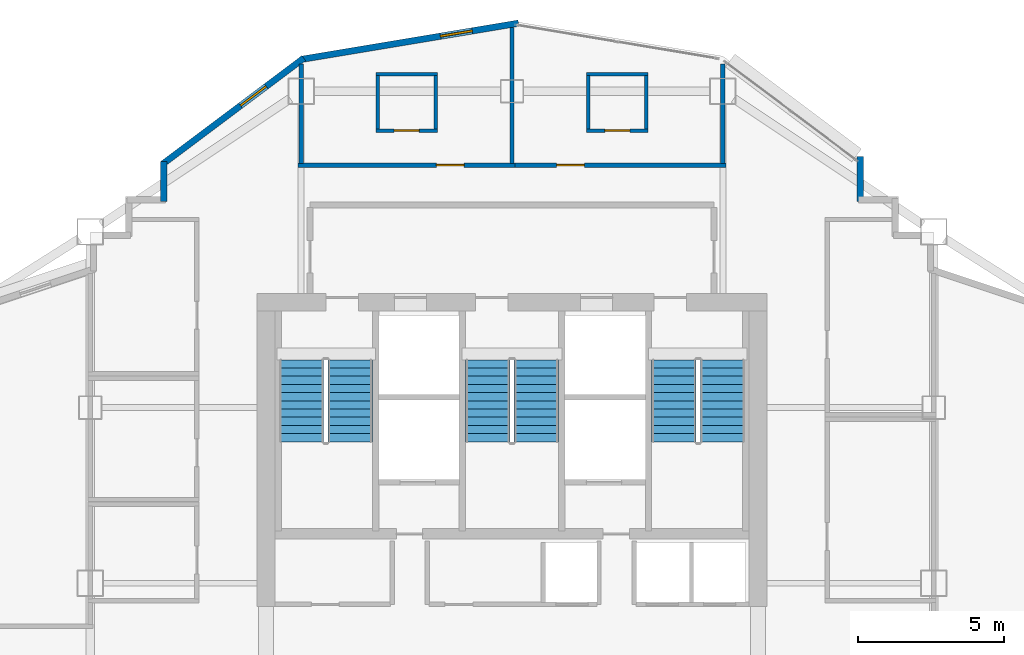
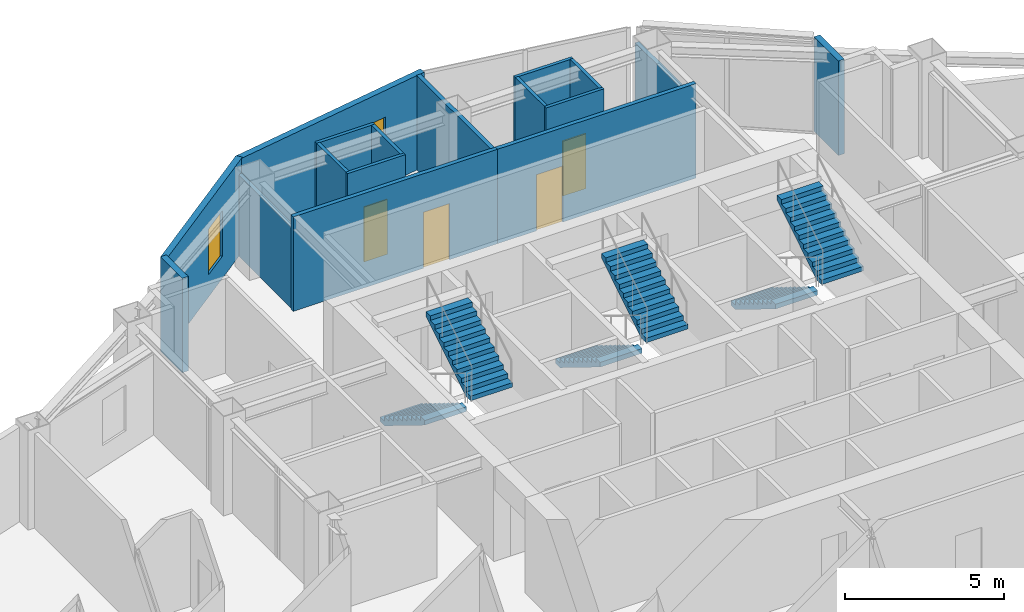
# One storey, part 9 of 11: 17 walls, 6 stair flights, 4 doors, 2 windows, 6 openings, 3 elements without a shape of their own.
"""IFC4 building model written with IfcOpenShell, lengths in metres."""

from ifc_helpers import new_model, si_unit, direction, frame, frame_2d, origin, place, context, subcontext, project, spatial, polyline, rectangle, outline, extrude, material, layer, layer_set, type_object, element, fill, aggregate, save


model = new_model("IFC4")

# Units and contexts
model_context = context("Model", 3, precision=1e-05, world=origin(), true_north=direction((0.0, 1.0)))
body_context = subcontext(model_context, "Body", "Model", "MODEL_VIEW")
ifc_project = project(units=[si_unit("LENGTHUNIT", "METRE"), si_unit("AREAUNIT", "SQUARE_METRE"), si_unit("VOLUMEUNIT", "CUBIC_METRE"), si_unit("PLANEANGLEUNIT", "RADIAN"), si_unit("MASSUNIT", "GRAM", prefix="KILO")], contexts=[model_context])

# Site, building, storey
site_placement = place(None, origin())
site = spatial("IfcSite", under=ifc_project, at=site_placement, CompositionType="ELEMENT")
building_placement = place(site_placement, origin())
building = spatial("IfcBuilding", under=site, at=building_placement, Name="Haolan Belvedere Tower", CompositionType="ELEMENT")
storey_placement = place(building_placement, frame((0.0, 0.0, 172.800048828125)))
storey = spatial("IfcBuildingStorey", under=building, at=storey_placement, Name="L43", CompositionType="ELEMENT", Elevation=172.800048828125)

# Wall
ifc_material_1 = material(Name="Precast concrete C40/50", Category="concrete")
ifc_layer_1 = layer(ifc_material_1, 0.219970703125, Name="Precast concrete C40/50")
ifc_layer_set_1 = layer_set([ifc_layer_1], Name="Precast concrete C40/50")
wall_type_1 = type_object("IfcWallType", Name="WL-EXT-220", PredefinedType="SOLIDWALL", material=ifc_layer_set_1)
wall_1_placement = place(storey_placement, frame((50.2900390625, 46.635009765625, 0.0), z_axis=(0.0, 0.0, 1.0), x_axis=(0.0, 1.0, 0.0)))
element("IfcWall", 1, at=wall_1_placement, inside=storey, type_object=wall_type_1, Name="L43 pale-metal exterior spandrel wall 19.1", PredefinedType="SOLIDWALL", context=body_context, shape_type="SweptSolid", body=[
    extrude(rectangle(XDim=1.534912109375, YDim=0.219970703125, at=frame_2d((0.767578125, 0.0))), origin(), (0.0, 0.0, 1.0), 3.619873046875),
])

# Wall, opening, window
wall_2_placement = place(storey_placement, frame((38.621826171875, 52.7255859375, 0.0), z_axis=(0.0, 0.0, 1.0), x_axis=(-0.986390420428, -0.164420006349, 0.0)))
wall_2 = element("IfcWall", 2, at=wall_2_placement, inside=storey, type_object=wall_type_1, Name="L43 pale-metal exterior spandrel wall 22.1", PredefinedType="SOLIDWALL", context=body_context, shape_type="SweptSolid", body=[
    extrude(rectangle(XDim=7.5341796875, YDim=0.219970703125, at=frame_2d((3.76708984375, 0.0))), origin(), (0.0, 0.0, 1.0), 3.619873046875),
])
opening_1_placement = place(wall_2_placement, frame((1.60009765625, 0.0, 0.85009765625)))
opening_1 = element("IfcOpeningElement", 3, at=opening_1_placement, cuts=wall_2, Name="Opening W-03", PredefinedType="OPENING", context=body_context, shape_type="SweptSolid", body=[
    extrude(rectangle(XDim=1.10009765625, YDim=1.75, at=frame_2d((0.550048828125, 0.875))), frame((0.0, 0.119873046875, 0.0), z_axis=(0.0, -1.0, 0.0), x_axis=(1.0, 0.0, 0.0)), (0.0, 0.0, 1.0), 0.239990234375),
])
ifc_material_2 = material(Name="Anodised aluminium 6063-T6 and Low-E glass", Category="aluminium")
window_type = type_object("IfcWindowType", Name="WN-DECO-Z3", PartitioningType="SINGLE_PANEL", PredefinedType="WINDOW", material=ifc_material_2)
window_1_placement = place(opening_1_placement, origin())
window_1 = element("IfcWindow", 4, at=window_1_placement, inside=storey, type_object=window_type, Name="L43 Art Deco chevron window 1", OverallHeight=1.75, OverallWidth=1.10009765625, PartitioningType="SINGLE_PANEL", PredefinedType="WINDOW", context=body_context, shape_type="SweptSolid", body=[
    extrude(rectangle(XDim=1.10009765625, YDim=1.75, at=frame_2d((0.550048828125, 0.875))), frame((0.0, 0.030029296875, 0.0), z_axis=(0.0, -1.0, 0.0), x_axis=(1.0, 0.0, 0.0)), (0.0, 0.0, 1.0), 0.06005859375),
])
fill(opening_1, window_1)

wall_3_placement = place(storey_placement, frame((31.28857421875, 51.52880859375, 0.0), z_axis=(0.0, 0.0, 1.0), x_axis=(-0.800014580093, -0.599980559383, 0.0)))
wall_3 = element("IfcWall", 5, at=wall_3_placement, inside=storey, type_object=wall_type_1, Name="L43 pale-metal exterior spandrel wall 23.1", PredefinedType="SOLIDWALL", context=body_context, shape_type="SweptSolid", body=[
    extrude(rectangle(XDim=6.028076171875, YDim=0.219970703125, at=frame_2d((3.01416015625, 0.0))), origin(), (0.0, 0.0, 1.0), 3.619873046875),
])
opening_2_placement = place(wall_3_placement, frame((1.60009765625, 0.0, 0.85009765625)))
opening_2 = element("IfcOpeningElement", 6, at=opening_2_placement, cuts=wall_3, Name="Opening W-03", PredefinedType="OPENING", context=body_context, shape_type="SweptSolid", body=[
    extrude(rectangle(XDim=1.10009765625, YDim=1.75, at=frame_2d((0.550048828125, 0.875))), frame((0.0, 0.119873046875, 0.0), z_axis=(0.0, -1.0, 0.0), x_axis=(1.0, 0.0, 0.0)), (0.0, 0.0, 1.0), 0.239990234375),
])
window_2_placement = place(opening_2_placement, origin())
window_2 = element("IfcWindow", 7, at=window_2_placement, inside=storey, type_object=window_type, Name="L43 Art Deco chevron window 1", OverallHeight=1.75, OverallWidth=1.10009765625, PartitioningType="SINGLE_PANEL", PredefinedType="WINDOW", context=body_context, shape_type="SweptSolid", body=[
    extrude(rectangle(XDim=1.10009765625, YDim=1.75, at=frame_2d((0.550048828125, 0.875))), frame((0.0, 0.030029296875, 0.0), z_axis=(0.0, -1.0, 0.0), x_axis=(1.0, 0.0, 0.0)), (0.0, 0.0, 1.0), 0.06005859375),
])
fill(opening_2, window_2)

# Wall
wall_4_placement = place(storey_placement, frame((26.510009765625, 48.0, 0.0), z_axis=(0.0, 0.0, 1.0), x_axis=(0.0, -1.0, 0.0)))
element("IfcWall", 8, at=wall_4_placement, inside=storey, type_object=wall_type_1, Name="L43 pale-metal exterior spandrel wall 24.1", PredefinedType="SOLIDWALL", context=body_context, shape_type="SweptSolid", body=[
    extrude(rectangle(XDim=1.364990234375, YDim=0.219970703125, at=frame_2d((0.6826171875, 0.0))), origin(), (0.0, 0.0, 1.0), 3.619873046875),
])

# Wall, opening, door
ifc_material_3 = material(Name="Double gypsum acoustic stud partition", Category="masonry")
ifc_layer_2 = layer(ifc_material_3, 0.14990234375, Name="Double gypsum acoustic stud partition")
ifc_layer_set_2 = layer_set([ifc_layer_2], Name="Double gypsum acoustic stud partition")
wall_type_2 = type_object("IfcWallType", Name="WL-PART-150", PredefinedType="PARTITIONING", material=ifc_layer_set_2)
wall_5_placement = place(storey_placement, frame((31.10009765625, 47.8798828125, 0.0), z_axis=(0.0, 0.0, 1.0), x_axis=(1.0, 0.0, 0.0)))
wall_5 = element("IfcWall", 9, at=wall_5_placement, inside=storey, type_object=wall_type_2, Name="L43 interior partition IW-L43-KN2-S", PredefinedType="PARTITIONING", context=body_context, shape_type="SweptSolid", body=[
    extrude(rectangle(XDim=7.39990234375, YDim=0.14990234375, at=frame_2d((3.699951171875, 0.0))), origin(), (0.0, 0.0, 1.0), 3.619873046875),
])
opening_3_placement = place(wall_5_placement, frame((4.713623046875, 0.0, 0.0)))
opening_3 = element("IfcOpeningElement", 10, at=opening_3_placement, cuts=wall_5, Name="Opening ID-02", PredefinedType="OPENING", context=body_context, shape_type="SweptSolid", body=[
    extrude(rectangle(XDim=0.949951171875, YDim=2.14990234375, at=frame_2d((0.47509765625, 1.074951171875))), frame((0.0, 0.0849609375, 0.0), z_axis=(0.0, -1.0, 0.0), x_axis=(1.0, 0.0, 0.0)), (0.0, 0.0, 1.0), 0.169921875),
])
ifc_material_4 = material(Name="Acoustic oak veneer fire-rated timber", Category="wood")
door_type_1 = type_object("IfcDoorType", Name="DR-GUEST-950", OperationType="NOTDEFINED", PredefinedType="DOOR", material=ifc_material_4)
door_1_placement = place(opening_3_placement, origin())
door_1 = element("IfcDoor", 11, at=door_1_placement, inside=storey, type_object=door_type_1, Name="L43 door ID-L43-KN2-ENT", OperationType="SINGLE_SWING_RIGHT", OverallHeight=2.14990234375, OverallWidth=0.949951171875, PredefinedType="DOOR", context=body_context, shape_type="SweptSolid", body=[
    extrude(rectangle(XDim=0.949951171875, YDim=2.14990234375, at=frame_2d((0.47509765625, 1.074951171875))), frame((0.0, 0.02490234375, 0.0), z_axis=(0.0, -1.0, 0.0), x_axis=(1.0, 0.0, 0.0)), (0.0, 0.0, 1.0), 0.050048828125),
])
fill(opening_3, door_1)

# Walls
wall_6_placement = place(storey_placement, frame((31.199951171875, 47.93994140625, 0.0), z_axis=(0.0, 0.0, 1.0), x_axis=(0.0, 1.0, 0.0)))
element("IfcWall", 12, at=wall_6_placement, inside=storey, type_object=wall_type_2, Name="L43 interior partition IW-L43-KN2-W", PredefinedType="PARTITIONING", context=body_context, shape_type="SweptSolid", body=[
    extrude(rectangle(XDim=3.39501953125, YDim=0.14990234375, at=frame_2d((1.697509765625, 0.0))), origin(), (0.0, 0.0, 1.0), 3.10498046875),
])
wall_7_placement = place(storey_placement, frame((38.39990234375, 47.93994140625, 0.0), z_axis=(0.0, 0.0, 1.0), x_axis=(0.0, 1.0, 0.0)))
element("IfcWall", 13, at=wall_7_placement, inside=storey, type_object=wall_type_2, Name="L43 interior partition IW-L43-KN2-E", PredefinedType="PARTITIONING", context=body_context, shape_type="SweptSolid", body=[
    extrude(rectangle(XDim=4.645263671875, YDim=0.14990234375, at=frame_2d((2.32275390625, 0.0))), origin(), (0.0, 0.0, 1.0), 3.619873046875),
])

# Wall, opening, door
wall_8_placement = place(storey_placement, frame((38.501953125, 47.8798828125, 0.0), z_axis=(0.0, 0.0, 1.0), x_axis=(1.0, 0.0, 0.0)))
wall_8 = element("IfcWall", 14, at=wall_8_placement, inside=storey, type_object=wall_type_2, Name="L43 interior partition IW-L43-KN3-S", PredefinedType="PARTITIONING", context=body_context, shape_type="SweptSolid", body=[
    extrude(rectangle(XDim=7.197998046875, YDim=0.14990234375, at=frame_2d((3.59912109375, 0.0))), origin(), (0.0, 0.0, 1.0), 3.619873046875),
])
opening_4_placement = place(wall_8_placement, frame((1.41748046875, 0.0, 0.0)))
opening_4 = element("IfcOpeningElement", 15, at=opening_4_placement, cuts=wall_8, Name="Opening ID-02", PredefinedType="OPENING", context=body_context, shape_type="SweptSolid", body=[
    extrude(rectangle(XDim=0.949951171875, YDim=2.14990234375, at=frame_2d((0.47509765625, 1.074951171875))), frame((0.0, 0.0849609375, 0.0), z_axis=(0.0, -1.0, 0.0), x_axis=(1.0, 0.0, 0.0)), (0.0, 0.0, 1.0), 0.169921875),
])
door_2_placement = place(opening_4_placement, origin())
door_2 = element("IfcDoor", 16, at=door_2_placement, inside=storey, type_object=door_type_1, Name="L43 door ID-L43-KN3-ENT", OperationType="SINGLE_SWING_LEFT", OverallHeight=2.14990234375, OverallWidth=0.949951171875, PredefinedType="DOOR", context=body_context, shape_type="SweptSolid", body=[
    extrude(rectangle(XDim=0.949951171875, YDim=2.14990234375, at=frame_2d((0.47509765625, 1.074951171875))), frame((0.0, 0.02490234375, 0.0), z_axis=(0.0, -1.0, 0.0), x_axis=(1.0, 0.0, 0.0)), (0.0, 0.0, 1.0), 0.050048828125),
])
fill(opening_4, door_2)

# Walls
wall_9_placement = place(storey_placement, frame((45.60009765625, 47.93994140625, 0.0), z_axis=(0.0, 0.0, 1.0), x_axis=(0.0, 1.0, 0.0)))
element("IfcWall", 17, at=wall_9_placement, inside=storey, type_object=wall_type_2, Name="L43 interior partition IW-L43-KN3-E", PredefinedType="PARTITIONING", context=body_context, shape_type="SweptSolid", body=[
    extrude(rectangle(XDim=3.39501953125, YDim=0.14990234375, at=frame_2d((1.697509765625, 0.0))), origin(), (0.0, 0.0, 1.0), 3.10498046875),
])
ifc_material_5 = material(Name="Moisture-resistant gypsum tile partition", Category="masonry")
ifc_layer_3 = layer(ifc_material_5, 0.1201171875, Name="Moisture-resistant gypsum tile partition")
ifc_layer_set_3 = layer_set([ifc_layer_3], Name="Moisture-resistant gypsum tile partition")
wall_type_3 = type_object("IfcWallType", Name="WL-WET-120", PredefinedType="PARTITIONING", material=ifc_layer_set_3)
wall_10_placement = place(storey_placement, frame((33.75, 50.97998046875, 0.0), z_axis=(0.0, 0.0, 1.0), x_axis=(1.0, 0.0, 0.0)))
element("IfcWall", 18, at=wall_10_placement, inside=storey, type_object=wall_type_3, Name="L43 interior partition IW-L43-KN2-BN", PredefinedType="PARTITIONING", context=body_context, shape_type="SweptSolid", body=[
    extrude(rectangle(XDim=2.10009765625, YDim=0.1201171875, at=frame_2d((1.050048828125, 0.0))), origin(), (0.0, 0.0, 1.0), 3.619873046875),
])

# Wall, opening, door
wall_11_placement = place(storey_placement, frame((33.75, 49.06005859375, 0.0), z_axis=(0.0, 0.0, 1.0), x_axis=(1.0, 0.0, 0.0)))
wall_11 = element("IfcWall", 19, at=wall_11_placement, inside=storey, type_object=wall_type_3, Name="L43 interior partition IW-L43-KN2-BS", PredefinedType="PARTITIONING", context=body_context, shape_type="SweptSolid", body=[
    extrude(rectangle(XDim=2.10009765625, YDim=0.1201171875, at=frame_2d((1.050048828125, 0.0))), origin(), (0.0, 0.0, 1.0), 3.619873046875),
])
opening_5_placement = place(wall_11_placement, frame((0.625, 0.0, 0.0)))
opening_5 = element("IfcOpeningElement", 20, at=opening_5_placement, cuts=wall_11, Name="Opening ID-05", PredefinedType="OPENING", context=body_context, shape_type="SweptSolid", body=[
    extrude(rectangle(XDim=0.85009765625, YDim=2.10009765625, at=frame_2d((0.425048828125, 1.050048828125))), frame((0.0, 0.070068359375, 0.0), z_axis=(0.0, -1.0, 0.0), x_axis=(1.0, 0.0, 0.0)), (0.0, 0.0, 1.0), 0.14013671875),
])
ifc_material_6 = material(Name="Moisture-resistant lacquered timber", Category="wood")
door_type_2 = type_object("IfcDoorType", Name="DR-BATH-850", OperationType="NOTDEFINED", PredefinedType="DOOR", material=ifc_material_6)
door_3_placement = place(opening_5_placement, origin())
door_3 = element("IfcDoor", 21, at=door_3_placement, inside=storey, type_object=door_type_2, Name="L43 door ID-L43-KN2-BATH", OperationType="SINGLE_SWING_LEFT", OverallHeight=2.10009765625, OverallWidth=0.85009765625, PredefinedType="DOOR", context=body_context, shape_type="SweptSolid", body=[
    extrude(rectangle(XDim=0.85009765625, YDim=2.10009765625, at=frame_2d((0.425048828125, 1.050048828125))), frame((0.0, 0.02490234375, 0.0), z_axis=(0.0, -1.0, 0.0), x_axis=(1.0, 0.0, 0.0)), (0.0, 0.0, 1.0), 0.050048828125),
])
fill(opening_5, door_3)

# Walls
for number, where, z_axis, x_axis, name in (
    (22, (33.81005859375, 49.10498046875, 0.0), (0.0, 0.0, 1.0), (0.0, 1.0, 0.0), "L43 interior partition IW-L43-KN2-BW"),
    (23, (35.7900390625, 49.10498046875, 0.0), (0.0, 0.0, 1.0), (0.0, 1.0, 0.0), "L43 interior partition IW-L43-KN2-BE"),
):
    element("IfcWall", number, at=place(storey_placement, frame(where, z_axis=z_axis, x_axis=x_axis)), inside=storey, type_object=wall_type_3, Name=name, PredefinedType="PARTITIONING", context=body_context, shape_type="SweptSolid", body=[
        extrude(rectangle(XDim=1.830078125, YDim=0.1201171875, at=frame_2d((0.9150390625, 0.0))), origin(), (0.0, 0.0, 1.0), 3.619873046875),
    ])
wall_12_placement = place(storey_placement, frame((40.949951171875, 50.97998046875, 0.0), z_axis=(0.0, 0.0, 1.0), x_axis=(1.0, 0.0, 0.0)))
element("IfcWall", 24, at=wall_12_placement, inside=storey, type_object=wall_type_3, Name="L43 interior partition IW-L43-KN3-BN", PredefinedType="PARTITIONING", context=body_context, shape_type="SweptSolid", body=[
    extrude(rectangle(XDim=2.10009765625, YDim=0.1201171875, at=frame_2d((1.050048828125, 0.0))), origin(), (0.0, 0.0, 1.0), 3.619873046875),
])

# Wall, opening, door
wall_13_placement = place(storey_placement, frame((40.949951171875, 49.06005859375, 0.0), z_axis=(0.0, 0.0, 1.0), x_axis=(1.0, 0.0, 0.0)))
wall_13 = element("IfcWall", 25, at=wall_13_placement, inside=storey, type_object=wall_type_3, Name="L43 interior partition IW-L43-KN3-BS", PredefinedType="PARTITIONING", context=body_context, shape_type="SweptSolid", body=[
    extrude(rectangle(XDim=2.10009765625, YDim=0.1201171875, at=frame_2d((1.050048828125, 0.0))), origin(), (0.0, 0.0, 1.0), 3.619873046875),
])
opening_6_placement = place(wall_13_placement, frame((0.625, 0.0, 0.0)))
opening_6 = element("IfcOpeningElement", 26, at=opening_6_placement, cuts=wall_13, Name="Opening ID-05", PredefinedType="OPENING", context=body_context, shape_type="SweptSolid", body=[
    extrude(rectangle(XDim=0.85009765625, YDim=2.10009765625, at=frame_2d((0.425048828125, 1.050048828125))), frame((0.0, 0.070068359375, 0.0), z_axis=(0.0, -1.0, 0.0), x_axis=(1.0, 0.0, 0.0)), (0.0, 0.0, 1.0), 0.14013671875),
])
door_4_placement = place(opening_6_placement, origin())
door_4 = element("IfcDoor", 27, at=door_4_placement, inside=storey, type_object=door_type_2, Name="L43 door ID-L43-KN3-BATH", OperationType="SINGLE_SWING_RIGHT", OverallHeight=2.10009765625, OverallWidth=0.85009765625, PredefinedType="DOOR", context=body_context, shape_type="SweptSolid", body=[
    extrude(rectangle(XDim=0.85009765625, YDim=2.10009765625, at=frame_2d((0.425048828125, 1.050048828125))), frame((0.0, 0.02490234375, 0.0), z_axis=(0.0, -1.0, 0.0), x_axis=(1.0, 0.0, 0.0)), (0.0, 0.0, 1.0), 0.050048828125),
])
fill(opening_6, door_4)

# Walls
for number, where, z_axis, x_axis, name in (
    (28, (41.010009765625, 49.10498046875, 0.0), (0.0, 0.0, 1.0), (0.0, 1.0, 0.0), "L43 interior partition IW-L43-KN3-BW"),
    (29, (42.989990234375, 49.10498046875, 0.0), (0.0, 0.0, 1.0), (0.0, 1.0, 0.0), "L43 interior partition IW-L43-KN3-BE"),
):
    element("IfcWall", number, at=place(storey_placement, frame(where, z_axis=z_axis, x_axis=x_axis)), inside=storey, type_object=wall_type_3, Name=name, PredefinedType="PARTITIONING", context=body_context, shape_type="SweptSolid", body=[
        extrude(rectangle(XDim=1.830078125, YDim=0.1201171875, at=frame_2d((0.9150390625, 0.0))), origin(), (0.0, 0.0, 1.0), 3.619873046875),
    ])

# Stair, stair flights
ifc_material_7 = material(Name="Concrete C40/50", Category="concrete")
stair_type = type_object("IfcStairType", Name="STR-DL-22R-173", PredefinedType="HALF_TURN_STAIR", material=ifc_material_7)
stair_1_placement = place(storey_placement, origin())
stair_1 = element("IfcStair", 30, at=stair_1_placement, inside=storey, type_object=stair_type, Name="L43 Smokeproof Core Exit Stair ST1", PredefinedType="HALF_TURN_STAIR")
stair_flight_type = type_object("IfcStairFlightType", Name="SFL-DL-11R-173", PredefinedType="STRAIGHT", material=ifc_material_7)
stair_flight_1_placement = place(storey_placement, frame((31.2099609375, 41.22998046875, 0.0), z_axis=(0.0, 0.0, 1.0), x_axis=(0.0, -1.0, 0.0)))
stair_flight_1 = element("IfcStairFlight", 31, at=stair_flight_1_placement, type_object=stair_flight_type, Name="ST1 flight 1", NumberOfRisers=11, NumberOfTreads=10, PredefinedType="STRAIGHT", RiserHeight=0.172727273, TreadLength=0.28, context=body_context, shape_type="SweptSolid", body=[
    extrude(outline(polyline([(0.0, 0.0), (0.0, 0.172607421875), (0.280029296875, 0.172607421875), (0.280029296875, 0.345458984375), (0.56005859375, 0.345458984375), (0.56005859375, 0.51806640625), (0.840087890625, 0.51806640625), (0.840087890625, 0.69091796875), (1.1201171875, 0.69091796875), (1.1201171875, 0.863525390625), (1.39990234375, 0.863525390625), (1.39990234375, 1.036376953125), (1.679931640625, 1.036376953125), (1.679931640625, 1.208984375), (1.9599609375, 1.208984375), (1.9599609375, 1.3818359375), (2.239990234375, 1.3818359375), (2.239990234375, 1.554443359375), (2.52001953125, 1.554443359375), (2.52001953125, 1.727294921875), (2.800048828125, 1.727294921875), (2.800048828125, 1.89990234375), (2.800048828125, 1.551025390625), (0.285400390625, 0.0), (0.0, 0.0)])), frame((0.0, 0.760009765625, 0.0), z_axis=(0.0, -1.0, 0.0), x_axis=(1.0, 0.0, 0.0)), (0.0, 0.0, 1.0), 1.52001953125),
])
stair_flight_2_placement = place(storey_placement, frame((32.8701171875, 38.429931640625, 1.89990234375), z_axis=(0.0, 0.0, 1.0), x_axis=(0.0, 1.0, 0.0)))
stair_flight_2 = element("IfcStairFlight", 32, at=stair_flight_2_placement, type_object=stair_flight_type, Name="ST1 flight 2", NumberOfRisers=11, NumberOfTreads=10, PredefinedType="STRAIGHT", RiserHeight=0.172727273, TreadLength=0.28, context=body_context, shape_type="SweptSolid", body=[
    extrude(outline(polyline([(0.0, 0.0), (0.0, 0.172607421875), (0.280029296875, 0.172607421875), (0.280029296875, 0.345458984375), (0.56005859375, 0.345458984375), (0.56005859375, 0.51806640625), (0.840087890625, 0.51806640625), (0.840087890625, 0.69091796875), (1.1201171875, 0.69091796875), (1.1201171875, 0.863525390625), (1.39990234375, 0.863525390625), (1.39990234375, 1.036376953125), (1.679931640625, 1.036376953125), (1.679931640625, 1.208984375), (1.9599609375, 1.208984375), (1.9599609375, 1.3818359375), (2.239990234375, 1.3818359375), (2.239990234375, 1.554443359375), (2.52001953125, 1.554443359375), (2.52001953125, 1.727294921875), (2.800048828125, 1.727294921875), (2.800048828125, 1.89990234375), (2.800048828125, 1.551025390625), (0.285400390625, 0.0), (0.0, 0.0)])), frame((0.0, 0.760009765625, 0.0), z_axis=(0.0, -1.0, 0.0), x_axis=(1.0, 0.0, 0.0)), (0.0, 0.0, 1.0), 1.52001953125),
])
aggregate(stair_1, [stair_flight_1, stair_flight_2])

stair_2_placement = place(storey_placement, origin())
stair_2 = element("IfcStair", 33, at=stair_2_placement, inside=storey, type_object=stair_type, Name="L43 Smokeproof Core Exit Stair ST3", PredefinedType="HALF_TURN_STAIR")
stair_flight_3_placement = place(storey_placement, frame((37.570068359375, 41.22998046875, 0.0), z_axis=(0.0, 0.0, 1.0), x_axis=(0.0, -1.0, 0.0)))
stair_flight_3 = element("IfcStairFlight", 34, at=stair_flight_3_placement, type_object=stair_flight_type, Name="ST3 flight 1", NumberOfRisers=11, NumberOfTreads=10, PredefinedType="STRAIGHT", RiserHeight=0.172727273, TreadLength=0.28, context=body_context, shape_type="SweptSolid", body=[
    extrude(outline(polyline([(0.0, 0.0), (0.0, 0.172607421875), (0.280029296875, 0.172607421875), (0.280029296875, 0.345458984375), (0.56005859375, 0.345458984375), (0.56005859375, 0.51806640625), (0.840087890625, 0.51806640625), (0.840087890625, 0.69091796875), (1.1201171875, 0.69091796875), (1.1201171875, 0.863525390625), (1.39990234375, 0.863525390625), (1.39990234375, 1.036376953125), (1.679931640625, 1.036376953125), (1.679931640625, 1.208984375), (1.9599609375, 1.208984375), (1.9599609375, 1.3818359375), (2.239990234375, 1.3818359375), (2.239990234375, 1.554443359375), (2.52001953125, 1.554443359375), (2.52001953125, 1.727294921875), (2.800048828125, 1.727294921875), (2.800048828125, 1.89990234375), (2.800048828125, 1.551025390625), (0.285400390625, 0.0), (0.0, 0.0)])), frame((0.0, 0.760009765625, 0.0), z_axis=(0.0, -1.0, 0.0), x_axis=(1.0, 0.0, 0.0)), (0.0, 0.0, 1.0), 1.52001953125),
])
stair_flight_4_placement = place(storey_placement, frame((39.22998046875, 38.429931640625, 1.89990234375), z_axis=(0.0, 0.0, 1.0), x_axis=(0.0, 1.0, 0.0)))
stair_flight_4 = element("IfcStairFlight", 35, at=stair_flight_4_placement, type_object=stair_flight_type, Name="ST3 flight 2", NumberOfRisers=11, NumberOfTreads=10, PredefinedType="STRAIGHT", RiserHeight=0.172727273, TreadLength=0.28, context=body_context, shape_type="SweptSolid", body=[
    extrude(outline(polyline([(0.0, 0.0), (0.0, 0.172607421875), (0.280029296875, 0.172607421875), (0.280029296875, 0.345458984375), (0.56005859375, 0.345458984375), (0.56005859375, 0.51806640625), (0.840087890625, 0.51806640625), (0.840087890625, 0.69091796875), (1.1201171875, 0.69091796875), (1.1201171875, 0.863525390625), (1.39990234375, 0.863525390625), (1.39990234375, 1.036376953125), (1.679931640625, 1.036376953125), (1.679931640625, 1.208984375), (1.9599609375, 1.208984375), (1.9599609375, 1.3818359375), (2.239990234375, 1.3818359375), (2.239990234375, 1.554443359375), (2.52001953125, 1.554443359375), (2.52001953125, 1.727294921875), (2.800048828125, 1.727294921875), (2.800048828125, 1.89990234375), (2.800048828125, 1.551025390625), (0.285400390625, 0.0), (0.0, 0.0)])), frame((0.0, 0.760009765625, 0.0), z_axis=(0.0, -1.0, 0.0), x_axis=(1.0, 0.0, 0.0)), (0.0, 0.0, 1.0), 1.52001953125),
])
aggregate(stair_2, [stair_flight_3, stair_flight_4])

stair_3_placement = place(storey_placement, origin())
stair_3 = element("IfcStair", 36, at=stair_3_placement, inside=storey, type_object=stair_type, Name="L43 Smokeproof Core Exit Stair ST2", PredefinedType="HALF_TURN_STAIR")
stair_flight_5_placement = place(storey_placement, frame((43.929931640625, 41.22998046875, 0.0), z_axis=(0.0, 0.0, 1.0), x_axis=(0.0, -1.0, 0.0)))
stair_flight_5 = element("IfcStairFlight", 37, at=stair_flight_5_placement, type_object=stair_flight_type, Name="ST2 flight 1", NumberOfRisers=11, NumberOfTreads=10, PredefinedType="STRAIGHT", RiserHeight=0.172727273, TreadLength=0.28, context=body_context, shape_type="SweptSolid", body=[
    extrude(outline(polyline([(0.0, 0.0), (0.0, 0.172607421875), (0.280029296875, 0.172607421875), (0.280029296875, 0.345458984375), (0.56005859375, 0.345458984375), (0.56005859375, 0.51806640625), (0.840087890625, 0.51806640625), (0.840087890625, 0.69091796875), (1.1201171875, 0.69091796875), (1.1201171875, 0.863525390625), (1.39990234375, 0.863525390625), (1.39990234375, 1.036376953125), (1.679931640625, 1.036376953125), (1.679931640625, 1.208984375), (1.9599609375, 1.208984375), (1.9599609375, 1.3818359375), (2.239990234375, 1.3818359375), (2.239990234375, 1.554443359375), (2.52001953125, 1.554443359375), (2.52001953125, 1.727294921875), (2.800048828125, 1.727294921875), (2.800048828125, 1.89990234375), (2.800048828125, 1.551025390625), (0.285400390625, 0.0), (0.0, 0.0)])), frame((0.0, 0.760009765625, 0.0), z_axis=(0.0, -1.0, 0.0), x_axis=(1.0, 0.0, 0.0)), (0.0, 0.0, 1.0), 1.52001953125),
])
stair_flight_6_placement = place(storey_placement, frame((45.590087890625, 38.429931640625, 1.89990234375), z_axis=(0.0, 0.0, 1.0), x_axis=(0.0, 1.0, 0.0)))
stair_flight_6 = element("IfcStairFlight", 38, at=stair_flight_6_placement, type_object=stair_flight_type, Name="ST2 flight 2", NumberOfRisers=11, NumberOfTreads=10, PredefinedType="STRAIGHT", RiserHeight=0.172727273, TreadLength=0.28, context=body_context, shape_type="SweptSolid", body=[
    extrude(outline(polyline([(0.0, 0.0), (0.0, 0.172607421875), (0.280029296875, 0.172607421875), (0.280029296875, 0.345458984375), (0.56005859375, 0.345458984375), (0.56005859375, 0.51806640625), (0.840087890625, 0.51806640625), (0.840087890625, 0.69091796875), (1.1201171875, 0.69091796875), (1.1201171875, 0.863525390625), (1.39990234375, 0.863525390625), (1.39990234375, 1.036376953125), (1.679931640625, 1.036376953125), (1.679931640625, 1.208984375), (1.9599609375, 1.208984375), (1.9599609375, 1.3818359375), (2.239990234375, 1.3818359375), (2.239990234375, 1.554443359375), (2.52001953125, 1.554443359375), (2.52001953125, 1.727294921875), (2.800048828125, 1.727294921875), (2.800048828125, 1.89990234375), (2.800048828125, 1.551025390625), (0.285400390625, 0.0), (0.0, 0.0)])), frame((0.0, 0.760009765625, 0.0), z_axis=(0.0, -1.0, 0.0), x_axis=(1.0, 0.0, 0.0)), (0.0, 0.0, 1.0), 1.52001953125),
])
aggregate(stair_3, [stair_flight_5, stair_flight_6])

save(model, "model.ifc")
